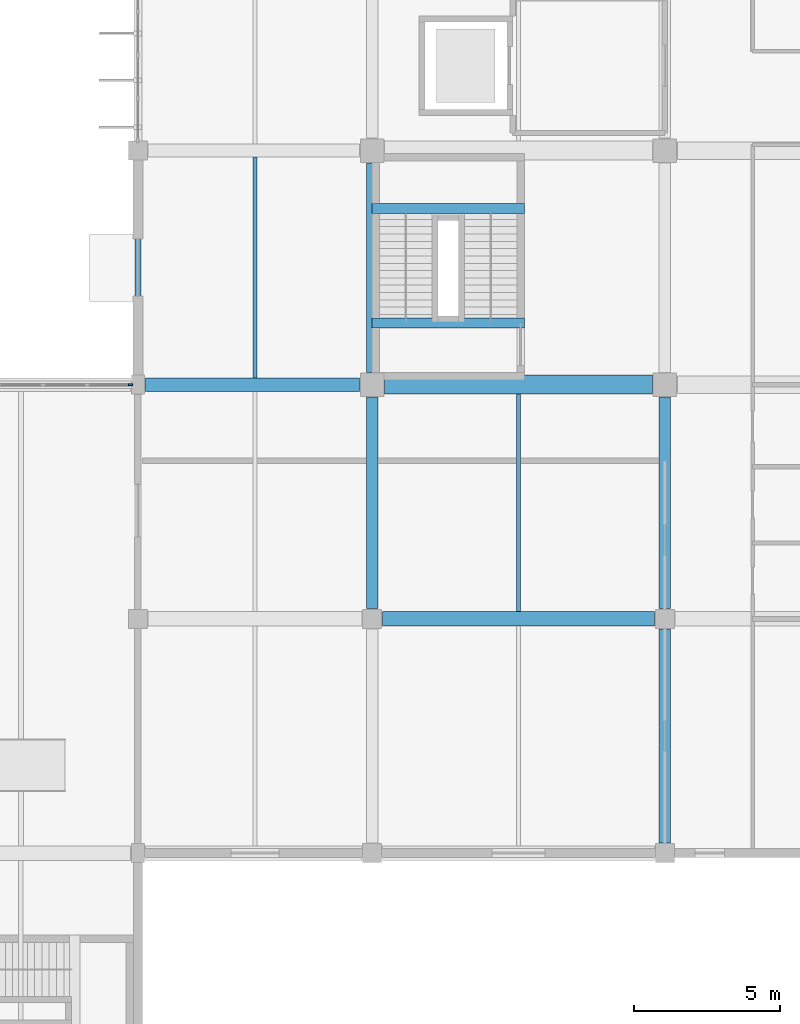
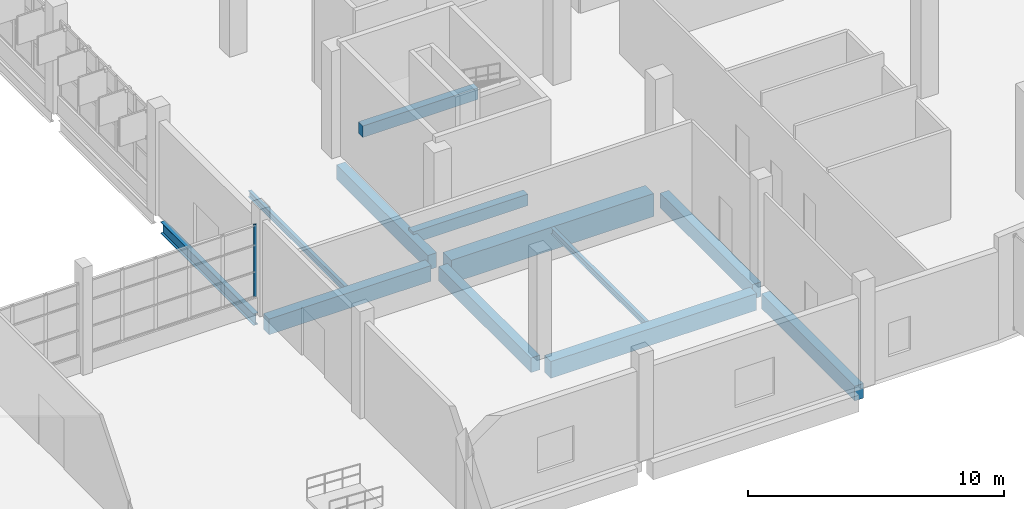
# One storey, part 42 of 103: 12 beams, 1 member, 1 element without a shape of its own.
"""IFC4 building model written with IfcOpenShell, lengths in metres."""

from ifc_helpers import new_model, si_unit, direction, frame, origin, origin_2d, place, context, subcontext, project, spatial, rectangle, i_section, extrude, material, layer, layer_set, material_profile, profile_set, type_object, element, aggregate, save


model = new_model("IFC4")

# Units and contexts
model_context = context("Model", 3, precision=1e-05, world=origin(), true_north=direction((0.0, 1.0)))
body_context = subcontext(model_context, "Body", "Model", "MODEL_VIEW")
ifc_project = project(units=[si_unit("LENGTHUNIT", "METRE"), si_unit("AREAUNIT", "SQUARE_METRE"), si_unit("VOLUMEUNIT", "CUBIC_METRE"), si_unit("PLANEANGLEUNIT", "RADIAN"), si_unit("MASSUNIT", "GRAM", prefix="KILO")], contexts=[model_context])

# Site, building, storey
site_placement = place(None, origin())
site = spatial("IfcSite", under=ifc_project, at=site_placement, CompositionType="ELEMENT")
building_placement = place(site_placement, origin())
building = spatial("IfcBuilding", under=site, at=building_placement, Name="Drelvana Railside Aquatics Centre", CompositionType="ELEMENT")
storey_placement = place(building_placement, origin())
storey = spatial("IfcBuildingStorey", under=building, at=storey_placement, Name="L00", CompositionType="ELEMENT", Elevation=0.0)

# Curtain wall, member
ifc_material_1 = material(Name="Bronze-anodised aluminium curtain wall", Category="aluminium")
ifc_layer = layer(ifc_material_1, 0.1650390625, Name="Bronze-anodised aluminium curtain wall")
ifc_layer_set = layer_set([ifc_layer], Name="Bronze-anodised aluminium curtain wall")
curtain_wall_type = type_object("IfcCurtainWallType", Name="CW-Z5-COURT", PredefinedType="NOTDEFINED", material=ifc_layer_set)
curtain_wall_placement = place(storey_placement, origin())
curtain_wall = element("IfcCurtainWall", 1, at=curtain_wall_placement, inside=storey, type_object=curtain_wall_type, Name="Curtain wall CW-05-113", PredefinedType="NOTDEFINED")
ifc_material_2 = material(Name="Bronze-anodised aluminium 6063-T6", Category="aluminium")
ifc_material_profile_1 = material_profile(ifc_material_2, rectangle(XDim=0.06005859375, YDim=0.14990234375, at=origin_2d()), Name="ALU-M 60x150")
ifc_profile_set_1 = profile_set([ifc_material_profile_1], Name="Bronze-anodised aluminium 6063-T6")
member_type = type_object("IfcMemberType", Name="CW-Z5-COURT-MUL", PredefinedType="MULLION", material=ifc_profile_set_1)
member_placement = place(storey_placement, frame((143.7509765625, 24.0, 0.7939453125), z_axis=(0.0, 0.0, 1.0), x_axis=(0.0, 1.0, 0.0)))
member = element("IfcMember", 2, at=member_placement, type_object=member_type, Name="CW-05 mullion 6", PredefinedType="MULLION", context=body_context, shape_type="SweptSolid", body=[
    extrude(rectangle(XDim=0.06005859375, YDim=0.14990234375, at=origin_2d()), origin(), (0.0, 0.0, 1.0), 3.4560546875),
])
aggregate(curtain_wall, [member])

# Beams
ifc_material_3 = material(Name="Concrete C40/50", Category="concrete")
ifc_material_profile_2 = material_profile(ifc_material_3, rectangle(XDim=0.35009765625, YDim=0.550048828125, at=origin_2d()), Name="RC 350x550")
ifc_profile_set_2 = profile_set([ifc_material_profile_2], Name="Concrete C40/50")
beam_type_1 = type_object("IfcBeamType", Name="STR-BM-BM-01-RC-350x550", PredefinedType="BEAM", material=ifc_profile_set_2)
for number, where, z_axis, x_axis, name in (
    (3, (152.0, 26.110107421875, -0.47509765625), (1.0, 0.0, 0.0), (0.0, 1.0, 0.0), "Stair ST-06 L00 landing beam"),
    (4, (152.0, 30.02001953125, 2.22509765625), (1.0, 0.0, 0.0), (0.0, 1.0, 0.0), "Stair ST-06 L00 mid-landing beam"),
):
    element("IfcBeam", number, at=place(storey_placement, frame(where, z_axis=z_axis, x_axis=x_axis)), inside=storey, type_object=beam_type_1, Name=name, PredefinedType="BEAM", context=body_context, shape_type="SweptSolid", body=[
        extrude(rectangle(XDim=0.35009765625, YDim=0.550048828125, at=origin_2d()), origin(), (0.0, 0.0, 1.0), 5.199951171875),
    ])
ifc_material_profile_3 = material_profile(ifc_material_3, rectangle(XDim=0.39990234375, YDim=0.699951171875, at=origin_2d()), Name="RC 400x700")
ifc_profile_set_3 = profile_set([ifc_material_profile_3], Name="Concrete C40/50")
beam_type_2 = type_object("IfcBeamType", Name="STR-BM-BM-03-RC-400x700", PredefinedType="BEAM", material=ifc_profile_set_3)
beam_1_placement = place(storey_placement, frame((152.0, 16.35009765625, -0.679931640625), z_axis=(0.0, 1.0, 0.0), x_axis=(-1.0, 0.0, 0.0)))
element("IfcBeam", 5, at=beam_1_placement, inside=storey, type_object=beam_type_2, Name="Girder BM-03 (L00)", PredefinedType="BEAM", context=body_context, shape_type="SweptSolid", body=[
    extrude(rectangle(XDim=0.39990234375, YDim=0.699951171875, at=origin_2d()), origin(), (0.0, 0.0, 1.0), 7.224853515625),
])
beam_2_placement = place(storey_placement, frame((152.0, 24.425048828125, -0.679931640625), z_axis=(0.0, 1.0, 0.0), x_axis=(-1.0, 0.0, 0.0)))
element("IfcBeam", 6, at=beam_2_placement, inside=storey, type_object=beam_type_2, Name="Girder BM-03 (L00)", PredefinedType="BEAM", context=body_context, shape_type="SweptSolid", body=[
    extrude(rectangle(XDim=0.39990234375, YDim=0.699951171875, at=origin_2d()), origin(), (0.0, 0.0, 1.0), 7.14990234375),
])
beam_3_placement = place(storey_placement, frame((162.0, 8.35009765625, -0.679931640625), z_axis=(0.0, 1.0, 0.0), x_axis=(-1.0, 0.0, 0.0)))
element("IfcBeam", 7, at=beam_3_placement, inside=storey, type_object=beam_type_2, Name="Girder BM-03 (L00)", PredefinedType="BEAM", context=body_context, shape_type="SweptSolid", body=[
    extrude(rectangle(XDim=0.39990234375, YDim=0.699951171875, at=origin_2d()), origin(), (0.0, 0.0, 1.0), 7.2998046875),
])
beam_4_placement = place(storey_placement, frame((162.0, 16.35009765625, -0.679931640625), z_axis=(0.0, 1.0, 0.0), x_axis=(-1.0, 0.0, 0.0)))
element("IfcBeam", 8, at=beam_4_placement, inside=storey, type_object=beam_type_2, Name="Girder BM-03 (L00)", PredefinedType="BEAM", context=body_context, shape_type="SweptSolid", body=[
    extrude(rectangle(XDim=0.39990234375, YDim=0.699951171875, at=origin_2d()), origin(), (0.0, 0.0, 1.0), 7.224853515625),
])
ifc_material_profile_4 = material_profile(ifc_material_3, rectangle(XDim=0.449951171875, YDim=0.75, at=origin_2d()), Name="RC 450x750")
ifc_profile_set_4 = profile_set([ifc_material_profile_4], Name="Concrete C40/50")
beam_type_3 = type_object("IfcBeamType", Name="STR-BM-BM-04-RC-450x750", PredefinedType="BEAM", material=ifc_profile_set_4)
beam_5_placement = place(storey_placement, frame((144.25, 24.0, -0.705078125), z_axis=(1.0, 0.0, 0.0), x_axis=(0.0, 1.0, 0.0)))
element("IfcBeam", 9, at=beam_5_placement, inside=storey, type_object=beam_type_3, Name="Girder BM-04 (L00)", PredefinedType="BEAM", context=body_context, shape_type="SweptSolid", body=[
    extrude(rectangle(XDim=0.449951171875, YDim=0.75, at=origin_2d()), origin(), (0.0, 0.0, 1.0), 7.324951171875),
])
ifc_material_profile_5 = material_profile(ifc_material_3, rectangle(XDim=0.5, YDim=0.800048828125, at=origin_2d()), Name="RC 500x800")
ifc_profile_set_5 = profile_set([ifc_material_profile_5], Name="Concrete C40/50")
beam_type_4 = type_object("IfcBeamType", Name="STR-BM-BM-06-RC-500x800", PredefinedType="SPANDREL", material=ifc_profile_set_5)
beam_6_placement = place(storey_placement, frame((152.35009765625, 16.0, -0.72998046875), z_axis=(1.0, 0.0, 0.0), x_axis=(0.0, 1.0, 0.0)))
element("IfcBeam", 10, at=beam_6_placement, inside=storey, type_object=beam_type_4, Name="Girder BM-06 (L00)", PredefinedType="SPANDREL", context=body_context, shape_type="SweptSolid", body=[
    extrude(rectangle(XDim=0.5, YDim=0.800048828125, at=origin_2d()), origin(), (0.0, 0.0, 1.0), 9.2998046875),
])
ifc_material_profile_6 = material_profile(ifc_material_3, rectangle(XDim=0.64990234375, YDim=1.10009765625, at=origin_2d()), Name="RC 650x1100")
ifc_profile_set_6 = profile_set([ifc_material_profile_6], Name="Concrete C40/50")
beam_type_5 = type_object("IfcBeamType", Name="STR-BM-BM-10-RC-650x1100", PredefinedType="BEAM", material=ifc_profile_set_6)
beam_7_placement = place(storey_placement, frame((152.425048828125, 24.0, -0.8798828125), z_axis=(1.0, 0.0, 0.0), x_axis=(0.0, 1.0, 0.0)))
element("IfcBeam", 11, at=beam_7_placement, inside=storey, type_object=beam_type_5, Name="Girder BM-10 (L00)", PredefinedType="BEAM", context=body_context, shape_type="SweptSolid", body=[
    extrude(rectangle(XDim=0.64990234375, YDim=1.10009765625, at=origin_2d()), origin(), (0.0, 0.0, 1.0), 9.14990234375),
])
ifc_material_4 = material(Name="Structural steel S355", Category="steel")
ifc_material_profile_7 = material_profile(ifc_material_4, i_section(OverallWidth=0.2099609375, OverallDepth=0.550048828125, WebThickness=0.010986328125, FlangeThickness=0.01708984375, at=origin_2d()), Name="IPE 550")
ifc_profile_set_7 = profile_set([ifc_material_profile_7], Name="Structural steel S355")
beam_type_6 = type_object("IfcBeamType", Name="STR-SBM-SB-04-IPE-550", PredefinedType="SPANDREL", material=ifc_profile_set_7)
beam_8_placement = place(storey_placement, frame((144.0, 24.375, -0.60498046875), z_axis=(0.0, 1.0, 0.0), x_axis=(-1.0, 0.0, 0.0)))
element("IfcBeam", 12, at=beam_8_placement, inside=storey, type_object=beam_type_6, Name="Girder SB-04 (L00)", PredefinedType="SPANDREL", context=body_context, shape_type="SweptSolid", body=[
    extrude(i_section(OverallWidth=0.2099609375, OverallDepth=0.550048828125, WebThickness=0.010986328125, FlangeThickness=0.01708984375, at=origin_2d()), origin(), (0.0, 0.0, 1.0), 7.27490234375),
])
ifc_material_profile_8 = material_profile(ifc_material_4, i_section(OverallWidth=0.14990234375, OverallDepth=0.300048828125, WebThickness=0.007080078125, FlangeThickness=0.0107421875, at=origin_2d()), Name="IPE 300")
ifc_profile_set_8 = profile_set([ifc_material_profile_8], Name="Structural steel S355")
beam_type_7 = type_object("IfcBeamType", Name="STR-SBM-SJ-03-IPE-300", PredefinedType="JOIST", material=ifc_profile_set_8)
beam_9_placement = place(storey_placement, frame((148.0, 24.22509765625, -0.47998046875), z_axis=(0.0, 1.0, 0.0), x_axis=(-1.0, 0.0, 0.0)))
element("IfcBeam", 13, at=beam_9_placement, inside=storey, type_object=beam_type_7, Name="Secondary floor joist SJ-03 (L00)", PredefinedType="JOIST", context=body_context, shape_type="SweptSolid", body=[
    extrude(i_section(OverallWidth=0.14990234375, OverallDepth=0.300048828125, WebThickness=0.007080078125, FlangeThickness=0.0107421875, at=origin_2d()), origin(), (0.0, 0.0, 1.0), 7.5498046875),
])
beam_10_placement = place(storey_placement, frame((157.0, 16.25, -0.47998046875), z_axis=(0.0, 1.0, 0.0), x_axis=(-1.0, 0.0, 0.0)))
element("IfcBeam", 14, at=beam_10_placement, inside=storey, type_object=beam_type_7, Name="Secondary floor joist SJ-03 (L00)", PredefinedType="JOIST", context=body_context, shape_type="SweptSolid", body=[
    extrude(i_section(OverallWidth=0.14990234375, OverallDepth=0.300048828125, WebThickness=0.007080078125, FlangeThickness=0.0107421875, at=origin_2d()), origin(), (0.0, 0.0, 1.0), 7.425048828125),
])

save(model, "model.ifc")
